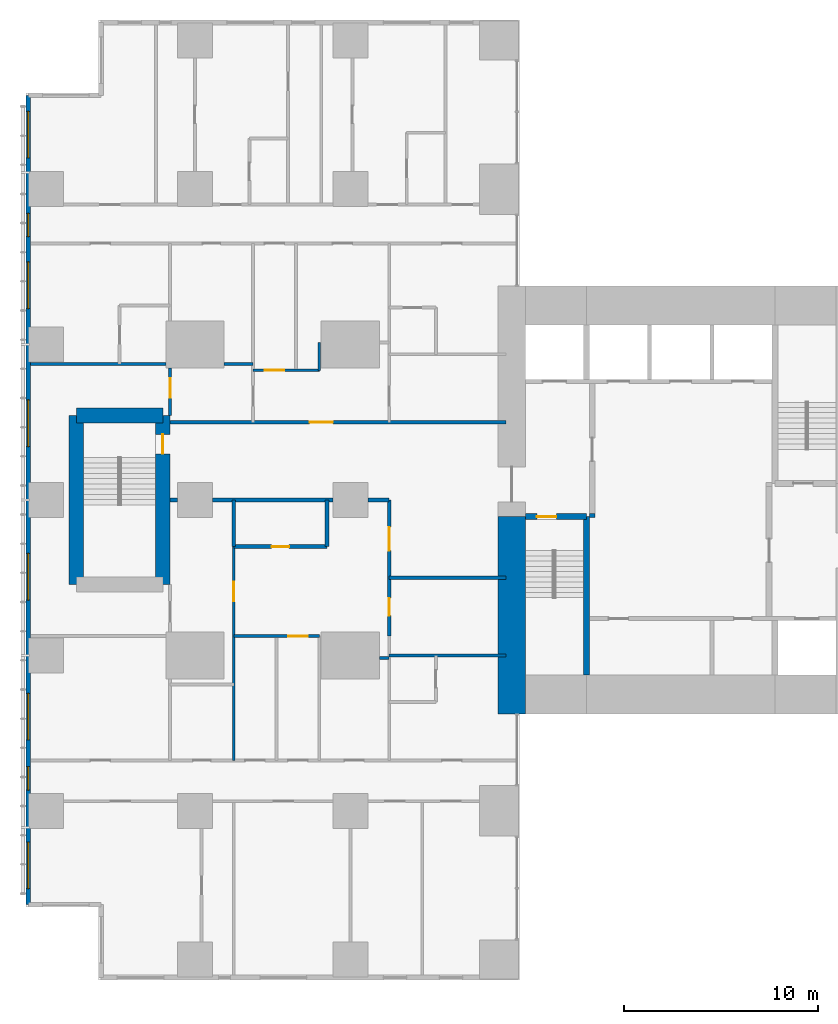
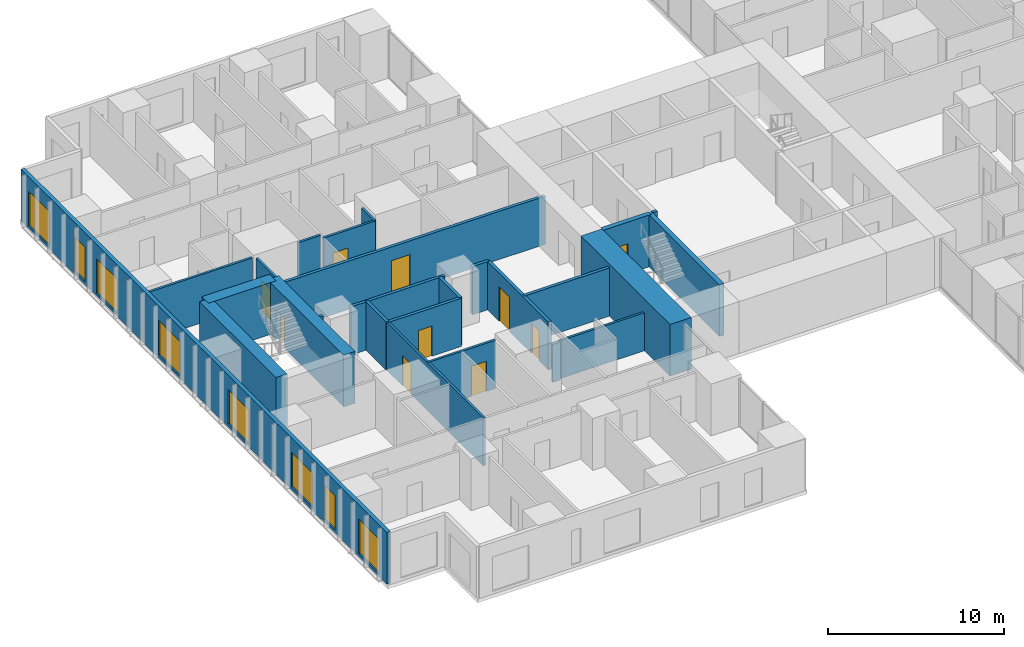
# One storey, part 13 of 20: 26 walls, 10 doors, 8 windows, 18 openings.
"""IFC4 building model written with IfcOpenShell, lengths in metres."""

from ifc_helpers import new_model, si_unit, direction, frame, frame_2d, origin, place, context, subcontext, project, spatial, rectangle, extrude, material, layer, layer_set, type_object, element, fill, save


model = new_model("IFC4")

# Units and contexts
model_context = context("Model", 3, precision=1e-05, world=origin(), true_north=direction((0.0, 1.0)))
body_context = subcontext(model_context, "Body", "Model", "MODEL_VIEW")
ifc_project = project(units=[si_unit("LENGTHUNIT", "METRE"), si_unit("AREAUNIT", "SQUARE_METRE"), si_unit("VOLUMEUNIT", "CUBIC_METRE"), si_unit("PLANEANGLEUNIT", "RADIAN"), si_unit("MASSUNIT", "GRAM", prefix="KILO")], contexts=[model_context])

# Site, building, storey
site_placement = place(None, origin())
site = spatial("IfcSite", under=ifc_project, at=site_placement, CompositionType="ELEMENT")
building_placement = place(site_placement, origin())
building = spatial("IfcBuilding", under=site, at=building_placement, Name="Cleftline Residences", CompositionType="ELEMENT")
storey_placement = place(building_placement, frame((0.0, 0.0, 203.800048828125)))
storey = spatial("IfcBuildingStorey", under=building, at=storey_placement, Name="L53", CompositionType="ELEMENT", Elevation=203.800048828125)

# Walls
ifc_material_1 = material(Name="Concrete B70", Category="concrete")
ifc_layer_1 = layer(ifc_material_1, 1.39990234375)
ifc_layer_set_1 = layer_set([ifc_layer_1], Name="CORE WALL 1400")
wall_type_1 = type_object("IfcWallType", Name="CORE WALL 1400", PredefinedType="SHEAR", material=ifc_layer_set_1)
wall_1_placement = place(storey_placement, frame((24.300048828125, 13.0, 0.0), z_axis=(0.0, 0.0, 1.0), x_axis=(0.0, 1.0, 0.0)))
element("IfcWall", 1, at=wall_1_placement, inside=storey, type_object=wall_type_1, Name="Core wall W0", PredefinedType="SHEAR", context=body_context, shape_type="SweptSolid", body=[
    extrude(rectangle(XDim=10.14990234375, YDim=1.39990234375, at=frame_2d((5.074951171875, 0.0))), origin(), (0.0, 0.0, 1.0), 3.599853515625),
])
ifc_material_2 = material(Name="Concrete B70", Category="concrete")
ifc_layer_2 = layer(ifc_material_2, 0.300048828125)
ifc_layer_set_2 = layer_set([ifc_layer_2], Name="CORE WALL 300")
wall_type_2 = type_object("IfcWallType", Name="CORE WALL 300", PredefinedType="SHEAR", material=ifc_layer_set_2)
wall_2_placement = place(storey_placement, frame((28.14990234375, 15.0, 0.0), z_axis=(0.0, 0.0, 1.0), x_axis=(0.0, 1.0, 0.0)))
element("IfcWall", 2, at=wall_2_placement, inside=storey, type_object=wall_type_2, Name="Core wall SA-E", PredefinedType="SHEAR", context=body_context, shape_type="SweptSolid", body=[
    extrude(rectangle(XDim=8.14990234375, YDim=0.300048828125, at=frame_2d((4.074951171875, 0.0))), origin(), (0.0, 0.0, 1.0), 3.599853515625),
])

# Wall, opening, door
wall_3_placement = place(storey_placement, frame((25.0, 23.14990234375, 0.0), z_axis=(0.0, 0.0, 1.0), x_axis=(1.0, 0.0, 0.0)))
wall_3 = element("IfcWall", 3, at=wall_3_placement, inside=storey, type_object=wall_type_2, Name="Core wall SA-N", PredefinedType="SHEAR", context=body_context, shape_type="SweptSolid", body=[
    extrude(rectangle(XDim=3.14990234375, YDim=0.300048828125, at=frame_2d((1.574951171875, 0.0))), origin(), (0.0, 0.0, 1.0), 3.599853515625),
])
opening_1_placement = place(wall_3_placement, frame((0.60009765625, 0.0, 0.0)))
opening_1 = element("IfcOpeningElement", 4, at=opening_1_placement, cuts=wall_3, Name="Opening D5", PredefinedType="OPENING", context=body_context, shape_type="SweptSolid", body=[
    extrude(rectangle(XDim=1.0, YDim=2.10009765625, at=frame_2d((0.5, 1.050048828125))), frame((0.0, 0.159912109375, 0.0), z_axis=(0.0, -1.0, 0.0), x_axis=(1.0, 0.0, 0.0)), (0.0, 0.0, 1.0), 0.320068359375),
])
ifc_material_3 = material(Name="Steel", Category="steel")
door_type_1 = type_object("IfcDoorType", Name="STAIR DOOR 1000X2100", OperationType="SINGLE_SWING_LEFT", PredefinedType="DOOR", material=ifc_material_3)
door_1_placement = place(opening_1_placement, origin())
door_1 = element("IfcDoor", 5, at=door_1_placement, inside=storey, type_object=door_type_1, Name="Stair A door", OperationType="SINGLE_SWING_RIGHT", OverallHeight=2.10009765625, OverallWidth=1.0, PredefinedType="DOOR", context=body_context, shape_type="SweptSolid", body=[
    extrude(rectangle(XDim=1.0, YDim=2.10009765625, at=frame_2d((0.5, 1.050048828125))), frame((0.0, 0.02490234375, 0.0), z_axis=(0.0, -1.0, 0.0), x_axis=(1.0, 0.0, 0.0)), (0.0, 0.0, 1.0), 0.050048828125),
])
fill(opening_1, door_1)

# Wall, openings, windows
ifc_material_4 = material(Name="Rendered reinforced concrete blockwork", Category="masonry")
ifc_layer_3 = layer(ifc_material_4, 0.25)
ifc_layer_set_3 = layer_set([ifc_layer_3], Name="EXTERNAL WALL 250")
wall_type_3 = type_object("IfcWallType", Name="EXTERNAL WALL 250", PredefinedType="SOLIDWALL", material=ifc_layer_set_3)
wall_4_placement = place(storey_placement, frame((-0.574951171875, 44.824951171875, 0.0), z_axis=(0.0, 0.0, 1.0), x_axis=(0.0, -1.0, 0.0)))
wall_4 = element("IfcWall", 6, at=wall_4_placement, inside=storey, type_object=wall_type_3, Name="External wall", PredefinedType="SOLIDWALL", context=body_context, shape_type="SweptSolid", body=[
    extrude(rectangle(XDim=41.64990234375, YDim=0.25, at=frame_2d((20.824951171875, 0.0))), origin(), (0.0, 0.0, 1.0), 3.599853515625),
])
opening_2_placement = place(wall_4_placement, frame((0.824951171875, 0.0, 0.199951171875)))
opening_2 = element("IfcOpeningElement", 7, at=opening_2_placement, cuts=wall_4, Name="Opening W9", PredefinedType="OPENING", context=body_context, shape_type="SweptSolid", body=[
    extrude(rectangle(XDim=2.39990234375, YDim=2.39990234375, at=frame_2d((1.199951171875, 1.199951171875))), frame((0.0, 0.135009765625, 0.0), z_axis=(0.0, -1.0, 0.0), x_axis=(1.0, 0.0, 0.0)), (0.0, 0.0, 1.0), 0.27001953125),
])
opening_3_placement = place(wall_4_placement, frame((6.074951171875, 0.0, 0.199951171875)))
opening_3 = element("IfcOpeningElement", 8, at=opening_3_placement, cuts=wall_4, Name="Opening W13", PredefinedType="OPENING", context=body_context, shape_type="SweptSolid", body=[
    extrude(rectangle(XDim=1.199951171875, YDim=2.39990234375, at=frame_2d((0.60009765625, 1.199951171875))), frame((0.0, 0.135009765625, 0.0), z_axis=(0.0, -1.0, 0.0), x_axis=(1.0, 0.0, 0.0)), (0.0, 0.0, 1.0), 0.27001953125),
])
opening_4_placement = place(wall_4_placement, frame((8.574951171875, 0.0, 0.199951171875)))
opening_4 = element("IfcOpeningElement", 9, at=opening_4_placement, cuts=wall_4, Name="Opening W9", PredefinedType="OPENING", context=body_context, shape_type="SweptSolid", body=[
    extrude(rectangle(XDim=2.39990234375, YDim=2.39990234375, at=frame_2d((1.199951171875, 1.199951171875))), frame((0.0, 0.135009765625, 0.0), z_axis=(0.0, -1.0, 0.0), x_axis=(1.0, 0.0, 0.0)), (0.0, 0.0, 1.0), 0.27001953125),
])
opening_5_placement = place(wall_4_placement, frame((15.675048828125, 0.0, 0.199951171875)))
opening_5 = element("IfcOpeningElement", 10, at=opening_5_placement, cuts=wall_4, Name="Opening W9", PredefinedType="OPENING", context=body_context, shape_type="SweptSolid", body=[
    extrude(rectangle(XDim=2.39990234375, YDim=2.39990234375, at=frame_2d((1.199951171875, 1.199951171875))), frame((0.0, 0.135009765625, 0.0), z_axis=(0.0, -1.0, 0.0), x_axis=(1.0, 0.0, 0.0)), (0.0, 0.0, 1.0), 0.27001953125),
])
opening_6_placement = place(wall_4_placement, frame((23.574951171875, 0.0, 0.199951171875)))
opening_6 = element("IfcOpeningElement", 11, at=opening_6_placement, cuts=wall_4, Name="Opening W9", PredefinedType="OPENING", context=body_context, shape_type="SweptSolid", body=[
    extrude(rectangle(XDim=2.39990234375, YDim=2.39990234375, at=frame_2d((1.199951171875, 1.199951171875))), frame((0.0, 0.135009765625, 0.0), z_axis=(0.0, -1.0, 0.0), x_axis=(1.0, 0.0, 0.0)), (0.0, 0.0, 1.0), 0.27001953125),
])
opening_7_placement = place(wall_4_placement, frame((30.77490234375, 0.0, 0.199951171875)))
opening_7 = element("IfcOpeningElement", 12, at=opening_7_placement, cuts=wall_4, Name="Opening W9", PredefinedType="OPENING", context=body_context, shape_type="SweptSolid", body=[
    extrude(rectangle(XDim=2.39990234375, YDim=2.39990234375, at=frame_2d((1.199951171875, 1.199951171875))), frame((0.0, 0.135009765625, 0.0), z_axis=(0.0, -1.0, 0.0), x_axis=(1.0, 0.0, 0.0)), (0.0, 0.0, 1.0), 0.27001953125),
])
opening_8_placement = place(wall_4_placement, frame((34.550048828125, 0.0, 0.199951171875)))
opening_8 = element("IfcOpeningElement", 13, at=opening_8_placement, cuts=wall_4, Name="Opening W13", PredefinedType="OPENING", context=body_context, shape_type="SweptSolid", body=[
    extrude(rectangle(XDim=1.199951171875, YDim=2.39990234375, at=frame_2d((0.60009765625, 1.199951171875))), frame((0.0, 0.135009765625, 0.0), z_axis=(0.0, -1.0, 0.0), x_axis=(1.0, 0.0, 0.0)), (0.0, 0.0, 1.0), 0.27001953125),
])
opening_9_placement = place(wall_4_placement, frame((38.425048828125, 0.0, 0.199951171875)))
opening_9 = element("IfcOpeningElement", 14, at=opening_9_placement, cuts=wall_4, Name="Opening W9", PredefinedType="OPENING", context=body_context, shape_type="SweptSolid", body=[
    extrude(rectangle(XDim=2.39990234375, YDim=2.39990234375, at=frame_2d((1.199951171875, 1.199951171875))), frame((0.0, 0.135009765625, 0.0), z_axis=(0.0, -1.0, 0.0), x_axis=(1.0, 0.0, 0.0)), (0.0, 0.0, 1.0), 0.27001953125),
])
ifc_material_5 = material(Name="Aluminium frame, clear double glazing", Category="aluminium")
window_type_1 = type_object("IfcWindowType", Name="WINDOW 1200X2400", PartitioningType="DOUBLE_PANEL_VERTICAL", PredefinedType="WINDOW", material=ifc_material_5)
window_1_placement = place(opening_3_placement, origin())
window_1 = element("IfcWindow", 15, at=window_1_placement, inside=storey, type_object=window_type_1, Name="Window", OverallHeight=2.39990234375, OverallWidth=1.199951171875, PartitioningType="SINGLE_PANEL", PredefinedType="WINDOW", context=body_context, shape_type="SweptSolid", body=[
    extrude(rectangle(XDim=1.199951171875, YDim=2.39990234375, at=frame_2d((0.60009765625, 1.199951171875))), frame((0.0, 0.030029296875, 0.0), z_axis=(0.0, -1.0, 0.0), x_axis=(1.0, 0.0, 0.0)), (0.0, 0.0, 1.0), 0.06005859375),
])
fill(opening_3, window_1)
window_2_placement = place(opening_8_placement, origin())
window_2 = element("IfcWindow", 16, at=window_2_placement, inside=storey, type_object=window_type_1, Name="Window", OverallHeight=2.39990234375, OverallWidth=1.199951171875, PartitioningType="SINGLE_PANEL", PredefinedType="WINDOW", context=body_context, shape_type="SweptSolid", body=[
    extrude(rectangle(XDim=1.199951171875, YDim=2.39990234375, at=frame_2d((0.60009765625, 1.199951171875))), frame((0.0, 0.030029296875, 0.0), z_axis=(0.0, -1.0, 0.0), x_axis=(1.0, 0.0, 0.0)), (0.0, 0.0, 1.0), 0.06005859375),
])
fill(opening_8, window_2)
ifc_material_6 = material(Name="Aluminium frame, clear double glazing", Category="aluminium")
window_type_2 = type_object("IfcWindowType", Name="WINDOW 2400X2400", PartitioningType="DOUBLE_PANEL_VERTICAL", PredefinedType="WINDOW", material=ifc_material_6)
window_3_placement = place(opening_2_placement, origin())
window_3 = element("IfcWindow", 17, at=window_3_placement, inside=storey, type_object=window_type_2, Name="Window", OverallHeight=2.39990234375, OverallWidth=2.39990234375, PartitioningType="SINGLE_PANEL", PredefinedType="WINDOW", context=body_context, shape_type="SweptSolid", body=[
    extrude(rectangle(XDim=2.39990234375, YDim=2.39990234375, at=frame_2d((1.199951171875, 1.199951171875))), frame((0.0, 0.030029296875, 0.0), z_axis=(0.0, -1.0, 0.0), x_axis=(1.0, 0.0, 0.0)), (0.0, 0.0, 1.0), 0.06005859375),
])
fill(opening_2, window_3)
window_4_placement = place(opening_4_placement, origin())
window_4 = element("IfcWindow", 18, at=window_4_placement, inside=storey, type_object=window_type_2, Name="Window", OverallHeight=2.39990234375, OverallWidth=2.39990234375, PartitioningType="SINGLE_PANEL", PredefinedType="WINDOW", context=body_context, shape_type="SweptSolid", body=[
    extrude(rectangle(XDim=2.39990234375, YDim=2.39990234375, at=frame_2d((1.199951171875, 1.199951171875))), frame((0.0, 0.030029296875, 0.0), z_axis=(0.0, -1.0, 0.0), x_axis=(1.0, 0.0, 0.0)), (0.0, 0.0, 1.0), 0.06005859375),
])
fill(opening_4, window_4)
window_5_placement = place(opening_5_placement, origin())
window_5 = element("IfcWindow", 19, at=window_5_placement, inside=storey, type_object=window_type_2, Name="Window", OverallHeight=2.39990234375, OverallWidth=2.39990234375, PartitioningType="SINGLE_PANEL", PredefinedType="WINDOW", context=body_context, shape_type="SweptSolid", body=[
    extrude(rectangle(XDim=2.39990234375, YDim=2.39990234375, at=frame_2d((1.199951171875, 1.199951171875))), frame((0.0, 0.030029296875, 0.0), z_axis=(0.0, -1.0, 0.0), x_axis=(1.0, 0.0, 0.0)), (0.0, 0.0, 1.0), 0.06005859375),
])
fill(opening_5, window_5)
window_6_placement = place(opening_6_placement, origin())
window_6 = element("IfcWindow", 20, at=window_6_placement, inside=storey, type_object=window_type_2, Name="Window", OverallHeight=2.39990234375, OverallWidth=2.39990234375, PartitioningType="SINGLE_PANEL", PredefinedType="WINDOW", context=body_context, shape_type="SweptSolid", body=[
    extrude(rectangle(XDim=2.39990234375, YDim=2.39990234375, at=frame_2d((1.199951171875, 1.199951171875))), frame((0.0, 0.030029296875, 0.0), z_axis=(0.0, -1.0, 0.0), x_axis=(1.0, 0.0, 0.0)), (0.0, 0.0, 1.0), 0.06005859375),
])
fill(opening_6, window_6)
window_7_placement = place(opening_7_placement, origin())
window_7 = element("IfcWindow", 21, at=window_7_placement, inside=storey, type_object=window_type_2, Name="Window", OverallHeight=2.39990234375, OverallWidth=2.39990234375, PartitioningType="SINGLE_PANEL", PredefinedType="WINDOW", context=body_context, shape_type="SweptSolid", body=[
    extrude(rectangle(XDim=2.39990234375, YDim=2.39990234375, at=frame_2d((1.199951171875, 1.199951171875))), frame((0.0, 0.030029296875, 0.0), z_axis=(0.0, -1.0, 0.0), x_axis=(1.0, 0.0, 0.0)), (0.0, 0.0, 1.0), 0.06005859375),
])
fill(opening_7, window_7)
window_8_placement = place(opening_9_placement, origin())
window_8 = element("IfcWindow", 22, at=window_8_placement, inside=storey, type_object=window_type_2, Name="Window", OverallHeight=2.39990234375, OverallWidth=2.39990234375, PartitioningType="SINGLE_PANEL", PredefinedType="WINDOW", context=body_context, shape_type="SweptSolid", body=[
    extrude(rectangle(XDim=2.39990234375, YDim=2.39990234375, at=frame_2d((1.199951171875, 1.199951171875))), frame((0.0, 0.030029296875, 0.0), z_axis=(0.0, -1.0, 0.0), x_axis=(1.0, 0.0, 0.0)), (0.0, 0.0, 1.0), 0.06005859375),
])
fill(opening_9, window_8)

# Wall
ifc_material_7 = material(Name="Concrete blockwork, fire rated", Category="masonry")
ifc_layer_4 = layer(ifc_material_7, 0.199951171875)
ifc_layer_set_4 = layer_set([ifc_layer_4], Name="FIRE WALL 200")
wall_type_4 = type_object("IfcWallType", Name="FIRE WALL 200", PredefinedType="PARTITIONING", material=ifc_layer_set_4)
wall_5_placement = place(storey_placement, frame((18.0, 20.0, 0.0), z_axis=(0.0, 0.0, 1.0), x_axis=(1.0, 0.0, 0.0)))
element("IfcWall", 23, at=wall_5_placement, inside=storey, type_object=wall_type_4, Name="Fire separating wall", PredefinedType="PARTITIONING", context=body_context, shape_type="SweptSolid", body=[
    extrude(rectangle(XDim=6.0, YDim=0.199951171875, at=frame_2d((3.0, 0.0))), origin(), (0.0, 0.0, 1.0), 3.349853515625),
])

# Wall, opening, door
wall_6_placement = place(storey_placement, frame((10.0, 21.60009765625, 0.0), z_axis=(0.0, 0.0, 1.0), x_axis=(1.0, 0.0, 0.0)))
wall_6 = element("IfcWall", 24, at=wall_6_placement, inside=storey, type_object=wall_type_4, Name="Fire separating wall", PredefinedType="PARTITIONING", context=body_context, shape_type="SweptSolid", body=[
    extrude(rectangle(XDim=4.800048828125, YDim=0.199951171875, at=frame_2d((2.39990234375, 0.0))), origin(), (0.0, 0.0, 1.0), 3.349853515625),
])
opening_10_placement = place(wall_6_placement, frame((1.949951171875, 0.0, 0.0)))
opening_10 = element("IfcOpeningElement", 25, at=opening_10_placement, cuts=wall_6, Name="Opening D1F30", PredefinedType="OPENING", context=body_context, shape_type="SweptSolid", body=[
    extrude(rectangle(XDim=0.89990234375, YDim=2.10009765625, at=frame_2d((0.449951171875, 1.050048828125))), frame((0.0, 0.10986328125, 0.0), z_axis=(0.0, -1.0, 0.0), x_axis=(1.0, 0.0, 0.0)), (0.0, 0.0, 1.0), 0.219970703125),
])
ifc_material_8 = material(Name="Timber veneer on solid core", Category="wood")
door_type_2 = type_object("IfcDoorType", Name="DOOR 900X2100 EI 30", OperationType="SINGLE_SWING_LEFT", PredefinedType="DOOR", material=ifc_material_8)
door_2_placement = place(opening_10_placement, origin())
door_2 = element("IfcDoor", 26, at=door_2_placement, inside=storey, type_object=door_type_2, Name="Door to cloakroom wc", OperationType="SINGLE_SWING_LEFT", OverallHeight=2.10009765625, OverallWidth=0.89990234375, PredefinedType="DOOR", context=body_context, shape_type="SweptSolid", body=[
    extrude(rectangle(XDim=0.89990234375, YDim=2.10009765625, at=frame_2d((0.449951171875, 1.050048828125))), frame((0.0, 0.02490234375, 0.0), z_axis=(0.0, -1.0, 0.0), x_axis=(1.0, 0.0, 0.0)), (0.0, 0.0, 1.0), 0.050048828125),
])
fill(opening_10, door_2)

# Walls
wall_7_placement = place(storey_placement, frame((6.72509765625, 24.0, 0.0), z_axis=(0.0, 0.0, 1.0), x_axis=(1.0, 0.0, 0.0)))
element("IfcWall", 27, at=wall_7_placement, inside=storey, type_object=wall_type_4, Name="Fire separating wall", PredefinedType="PARTITIONING", context=body_context, shape_type="SweptSolid", body=[
    extrude(rectangle(XDim=0.375, YDim=0.199951171875, at=frame_2d((0.1875, 0.0))), origin(), (0.0, 0.0, 1.0), 3.349853515625),
])
wall_8_placement = place(storey_placement, frame((8.89990234375, 24.0, 0.0), z_axis=(0.0, 0.0, 1.0), x_axis=(1.0, 0.0, 0.0)))
element("IfcWall", 28, at=wall_8_placement, inside=storey, type_object=wall_type_4, Name="Fire separating wall", PredefinedType="PARTITIONING", context=body_context, shape_type="SweptSolid", body=[
    extrude(rectangle(XDim=6.2001953125, YDim=0.199951171875, at=frame_2d((3.10009765625, 0.0))), origin(), (0.0, 0.0, 1.0), 3.349853515625),
])
wall_9_placement = place(storey_placement, frame((16.89990234375, 24.0, 0.0), z_axis=(0.0, 0.0, 1.0), x_axis=(1.0, 0.0, 0.0)))
element("IfcWall", 29, at=wall_9_placement, inside=storey, type_object=wall_type_4, Name="Fire separating wall", PredefinedType="PARTITIONING", context=body_context, shape_type="SweptSolid", body=[
    extrude(rectangle(XDim=1.10009765625, YDim=0.199951171875, at=frame_2d((0.550048828125, 0.0))), origin(), (0.0, 0.0, 1.0), 3.349853515625),
])

# Wall, opening, door
wall_10_placement = place(storey_placement, frame((6.72509765625, 28.0, 0.0), z_axis=(0.0, 0.0, 1.0), x_axis=(1.0, 0.0, 0.0)))
wall_10 = element("IfcWall", 30, at=wall_10_placement, inside=storey, type_object=wall_type_4, Name="Fire separating wall", PredefinedType="PARTITIONING", context=body_context, shape_type="SweptSolid", body=[
    extrude(rectangle(XDim=17.27490234375, YDim=0.199951171875, at=frame_2d((8.637451171875, 0.0))), origin(), (0.0, 0.0, 1.0), 3.349853515625),
])
opening_11_placement = place(wall_10_placement, frame((7.175048828125, 0.0, 0.0)))
opening_11 = element("IfcOpeningElement", 31, at=opening_11_placement, cuts=wall_10, Name="Opening D4", PredefinedType="OPENING", context=body_context, shape_type="SweptSolid", body=[
    extrude(rectangle(XDim=1.199951171875, YDim=2.39990234375, at=frame_2d((0.60009765625, 1.199951171875))), frame((0.0, 0.10986328125, 0.0), z_axis=(0.0, -1.0, 0.0), x_axis=(1.0, 0.0, 0.0)), (0.0, 0.0, 1.0), 0.219970703125),
])
ifc_material_9 = material(Name="Timber veneer on solid core", Category="wood")
door_type_3 = type_object("IfcDoorType", Name="APARTMENT ENTRANCE DOOR 1200X2400", OperationType="SINGLE_SWING_RIGHT", PredefinedType="DOOR", material=ifc_material_9)
door_3_placement = place(opening_11_placement, origin())
door_3 = element("IfcDoor", 32, at=door_3_placement, inside=storey, type_object=door_type_3, Name="Door to residence entrance (gallery)", OperationType="SINGLE_SWING_RIGHT", OverallHeight=2.39990234375, OverallWidth=1.199951171875, PredefinedType="DOOR", context=body_context, shape_type="SweptSolid", body=[
    extrude(rectangle(XDim=1.199951171875, YDim=2.39990234375, at=frame_2d((0.60009765625, 1.199951171875))), frame((0.0, 0.02490234375, 0.0), z_axis=(0.0, -1.0, 0.0), x_axis=(1.0, 0.0, 0.0)), (0.0, 0.0, 1.0), 0.050048828125),
])
fill(opening_11, door_3)

# Walls
for number, where, z_axis, x_axis, name in (
    (33, (10.0, 21.60009765625, 0.0), (0.0, 0.0, 1.0), (0.0, 1.0, 0.0), "Fire separating wall"),
    (34, (14.800048828125, 21.60009765625, 0.0), (0.0, 0.0, 1.0), (0.0, 1.0, 0.0), "Fire separating wall"),
):
    element("IfcWall", number, at=place(storey_placement, frame(where, z_axis=z_axis, x_axis=x_axis)), inside=storey, type_object=wall_type_4, Name=name, PredefinedType="PARTITIONING", context=body_context, shape_type="SweptSolid", body=[
        extrude(rectangle(XDim=2.39990234375, YDim=0.199951171875, at=frame_2d((1.199951171875, 0.0))), origin(), (0.0, 0.0, 1.0), 3.349853515625),
    ])

# Wall, openings, doors
wall_11_placement = place(storey_placement, frame((18.0, 17.0, 0.0), z_axis=(0.0, 0.0, 1.0), x_axis=(0.0, 1.0, 0.0)))
wall_11 = element("IfcWall", 35, at=wall_11_placement, inside=storey, type_object=wall_type_4, Name="Fire separating wall", PredefinedType="PARTITIONING", context=body_context, shape_type="SweptSolid", body=[
    extrude(rectangle(XDim=7.0, YDim=0.199951171875, at=frame_2d((3.5, 0.0))), origin(), (0.0, 0.0, 1.0), 3.349853515625),
])
opening_12_placement = place(wall_11_placement, frame((4.39990234375, 0.0, 0.0)))
opening_12 = element("IfcOpeningElement", 36, at=opening_12_placement, cuts=wall_11, Name="Opening D4", PredefinedType="OPENING", context=body_context, shape_type="SweptSolid", body=[
    extrude(rectangle(XDim=1.199951171875, YDim=2.39990234375, at=frame_2d((0.60009765625, 1.199951171875))), frame((0.0, 0.10986328125, 0.0), z_axis=(0.0, -1.0, 0.0), x_axis=(1.0, 0.0, 0.0)), (0.0, 0.0, 1.0), 0.219970703125),
])
opening_13_placement = place(wall_11_placement, frame((1.050048828125, 0.0, 0.0)))
opening_13 = element("IfcOpeningElement", 37, at=opening_13_placement, cuts=wall_11, Name="Opening D1F30", PredefinedType="OPENING", context=body_context, shape_type="SweptSolid", body=[
    extrude(rectangle(XDim=0.89990234375, YDim=2.10009765625, at=frame_2d((0.449951171875, 1.050048828125))), frame((0.0, 0.10986328125, 0.0), z_axis=(0.0, -1.0, 0.0), x_axis=(1.0, 0.0, 0.0)), (0.0, 0.0, 1.0), 0.219970703125),
])
door_4_placement = place(opening_12_placement, origin())
door_4 = element("IfcDoor", 38, at=door_4_placement, inside=storey, type_object=door_type_3, Name="Door to residence entrance foyer", OperationType="SINGLE_SWING_LEFT", OverallHeight=2.39990234375, OverallWidth=1.199951171875, PredefinedType="DOOR", context=body_context, shape_type="SweptSolid", body=[
    extrude(rectangle(XDim=1.199951171875, YDim=2.39990234375, at=frame_2d((0.60009765625, 1.199951171875))), frame((0.0, 0.02490234375, 0.0), z_axis=(0.0, -1.0, 0.0), x_axis=(1.0, 0.0, 0.0)), (0.0, 0.0, 1.0), 0.050048828125),
])
fill(opening_12, door_4)
door_5_placement = place(opening_13_placement, origin())
door_5 = element("IfcDoor", 39, at=door_5_placement, inside=storey, type_object=door_type_2, Name="Door to laundry", OperationType="SINGLE_SWING_RIGHT", OverallHeight=2.10009765625, OverallWidth=0.89990234375, PredefinedType="DOOR", context=body_context, shape_type="SweptSolid", body=[
    extrude(rectangle(XDim=0.89990234375, YDim=2.10009765625, at=frame_2d((0.449951171875, 1.050048828125))), frame((0.0, 0.02490234375, 0.0), z_axis=(0.0, -1.0, 0.0), x_axis=(1.0, 0.0, 0.0)), (0.0, 0.0, 1.0), 0.050048828125),
])
fill(opening_13, door_5)

# Walls
wall_12_placement = place(storey_placement, frame((28.300048828125, 23.199951171875, 0.0), z_axis=(0.0, 0.0, 1.0), x_axis=(1.0, 0.0, 0.0)))
element("IfcWall", 40, at=wall_12_placement, inside=storey, type_object=wall_type_4, Name="Fire separating wall", PredefinedType="PARTITIONING", context=body_context, shape_type="SweptSolid", body=[
    extrude(rectangle(XDim=0.300048828125, YDim=0.199951171875, at=frame_2d((0.14990234375, 0.0))), origin(), (0.0, 0.0, 1.0), 3.599853515625),
])
ifc_material_10 = material(Name="Gypsum board on steel studs", Category="steel")
ifc_layer_5 = layer(ifc_material_10, 0.14990234375)
ifc_layer_set_5 = layer_set([ifc_layer_5], Name="PARTITION 150")
wall_type_5 = type_object("IfcWallType", Name="PARTITION 150", PredefinedType="PARTITIONING", material=ifc_layer_set_5)
wall_13_placement = place(storey_placement, frame((17.5, 15.875, 0.0), z_axis=(0.0, 0.0, 1.0), x_axis=(1.0, 0.0, 0.0)))
element("IfcWall", 41, at=wall_13_placement, inside=storey, type_object=wall_type_5, Name="Partition", PredefinedType="PARTITIONING", context=body_context, shape_type="SweptSolid", body=[
    extrude(rectangle(XDim=0.5, YDim=0.14990234375, at=frame_2d((0.25, 0.0))), origin(), (0.0, 0.0, 1.0), 2.634033203125),
])
wall_14_placement = place(storey_placement, frame((18.0, 16.0, 0.0), z_axis=(0.0, 0.0, 1.0), x_axis=(1.0, 0.0, 0.0)))
element("IfcWall", 42, at=wall_14_placement, inside=storey, type_object=wall_type_5, Name="Partition", PredefinedType="PARTITIONING", context=body_context, shape_type="SweptSolid", body=[
    extrude(rectangle(XDim=6.0, YDim=0.14990234375, at=frame_2d((3.0, 0.0))), origin(), (0.0, 0.0, 1.0), 2.634033203125),
])

# Wall, opening, door
wall_15_placement = place(storey_placement, frame((10.0, 17.0, 0.0), z_axis=(0.0, 0.0, 1.0), x_axis=(1.0, 0.0, 0.0)))
wall_15 = element("IfcWall", 43, at=wall_15_placement, inside=storey, type_object=wall_type_5, Name="Partition", PredefinedType="PARTITIONING", context=body_context, shape_type="SweptSolid", body=[
    extrude(rectangle(XDim=4.39990234375, YDim=0.14990234375, at=frame_2d((2.199951171875, 0.0))), origin(), (0.0, 0.0, 1.0), 3.349853515625),
])
opening_14_placement = place(wall_15_placement, frame((2.800048828125, 0.0, 0.0)))
opening_14 = element("IfcOpeningElement", 44, at=opening_14_placement, cuts=wall_15, Name="Opening D2", PredefinedType="OPENING", context=body_context, shape_type="SweptSolid", body=[
    extrude(rectangle(XDim=1.0, YDim=2.10009765625, at=frame_2d((0.5, 1.050048828125))), frame((0.0, 0.0849609375, 0.0), z_axis=(0.0, -1.0, 0.0), x_axis=(1.0, 0.0, 0.0)), (0.0, 0.0, 1.0), 0.169921875),
])
ifc_material_11 = material(Name="Timber veneer on solid core", Category="wood")
door_type_4 = type_object("IfcDoorType", Name="DOOR 1000X2100", OperationType="SINGLE_SWING_LEFT", PredefinedType="DOOR", material=ifc_material_11)
door_6_placement = place(opening_14_placement, origin())
door_6 = element("IfcDoor", 45, at=door_6_placement, inside=storey, type_object=door_type_4, Name="Door to residence passage", OperationType="SINGLE_SWING_LEFT", OverallHeight=2.10009765625, OverallWidth=1.0, PredefinedType="DOOR", context=body_context, shape_type="SweptSolid", body=[
    extrude(rectangle(XDim=1.0, YDim=2.10009765625, at=frame_2d((0.5, 1.050048828125))), frame((0.0, 0.02490234375, 0.0), z_axis=(0.0, -1.0, 0.0), x_axis=(1.0, 0.0, 0.0)), (0.0, 0.0, 1.0), 0.050048828125),
])
fill(opening_14, door_6)

wall_16_placement = place(storey_placement, frame((11.0, 30.675048828125, 0.0), z_axis=(0.0, 0.0, 1.0), x_axis=(1.0, 0.0, 0.0)))
wall_16 = element("IfcWall", 46, at=wall_16_placement, inside=storey, type_object=wall_type_5, Name="Partition", PredefinedType="PARTITIONING", context=body_context, shape_type="SweptSolid", body=[
    extrude(rectangle(XDim=3.39990234375, YDim=0.14990234375, at=frame_2d((1.699951171875, 0.0))), origin(), (0.0, 0.0, 1.0), 3.349853515625),
])
opening_15_placement = place(wall_16_placement, frame((0.60009765625, 0.0, 0.0)))
opening_15 = element("IfcOpeningElement", 47, at=opening_15_placement, cuts=wall_16, Name="Opening D2", PredefinedType="OPENING", context=body_context, shape_type="SweptSolid", body=[
    extrude(rectangle(XDim=1.0, YDim=2.10009765625, at=frame_2d((0.5, 1.050048828125))), frame((0.0, 0.0849609375, 0.0), z_axis=(0.0, -1.0, 0.0), x_axis=(1.0, 0.0, 0.0)), (0.0, 0.0, 1.0), 0.169921875),
])
door_7_placement = place(opening_15_placement, origin())
door_7 = element("IfcDoor", 48, at=door_7_placement, inside=storey, type_object=door_type_4, Name="Door to residence passage", OperationType="SINGLE_SWING_RIGHT", OverallHeight=2.10009765625, OverallWidth=1.0, PredefinedType="DOOR", context=body_context, shape_type="SweptSolid", body=[
    extrude(rectangle(XDim=1.0, YDim=2.10009765625, at=frame_2d((0.5, 1.050048828125))), frame((0.0, 0.02490234375, 0.0), z_axis=(0.0, -1.0, 0.0), x_axis=(1.0, 0.0, 0.0)), (0.0, 0.0, 1.0), 0.050048828125),
])
fill(opening_15, door_7)

# Walls
wall_17_placement = place(storey_placement, frame((-0.449951171875, 31.0, 0.0), z_axis=(0.0, 0.0, 1.0), x_axis=(1.0, 0.0, 0.0)))
element("IfcWall", 49, at=wall_17_placement, inside=storey, type_object=wall_type_5, Name="Partition", PredefinedType="PARTITIONING", context=body_context, shape_type="SweptSolid", body=[
    extrude(rectangle(XDim=6.949951171875, YDim=0.14990234375, at=frame_2d((3.47509765625, 0.0))), origin(), (0.0, 0.0, 1.0), 3.349853515625),
])
wall_18_placement = place(storey_placement, frame((9.5, 31.0, 0.0), z_axis=(0.0, 0.0, 1.0), x_axis=(1.0, 0.0, 0.0)))
element("IfcWall", 50, at=wall_18_placement, inside=storey, type_object=wall_type_5, Name="Partition", PredefinedType="PARTITIONING", context=body_context, shape_type="SweptSolid", body=[
    extrude(rectangle(XDim=1.5, YDim=0.14990234375, at=frame_2d((0.75, 0.0))), origin(), (0.0, 0.0, 1.0), 3.349853515625),
])

# Wall, opening, door
wall_19_placement = place(storey_placement, frame((6.72509765625, 28.35009765625, 0.0), z_axis=(0.0, 0.0, 1.0), x_axis=(0.0, 1.0, 0.0)))
wall_19 = element("IfcWall", 51, at=wall_19_placement, inside=storey, type_object=wall_type_5, Name="Partition", PredefinedType="PARTITIONING", context=body_context, shape_type="SweptSolid", body=[
    extrude(rectangle(XDim=2.449951171875, YDim=0.14990234375, at=frame_2d((1.22509765625, 0.0))), origin(), (0.0, 0.0, 1.0), 3.349853515625),
])
opening_16_placement = place(wall_19_placement, frame((0.91259765625, 0.0, 0.0)))
opening_16 = element("IfcOpeningElement", 52, at=opening_16_placement, cuts=wall_19, Name="Opening D2", PredefinedType="OPENING", context=body_context, shape_type="SweptSolid", body=[
    extrude(rectangle(XDim=1.0, YDim=2.10009765625, at=frame_2d((0.5, 1.050048828125))), frame((0.0, 0.0849609375, 0.0), z_axis=(0.0, -1.0, 0.0), x_axis=(1.0, 0.0, 0.0)), (0.0, 0.0, 1.0), 0.169921875),
])
door_8_placement = place(opening_16_placement, origin())
door_8 = element("IfcDoor", 53, at=door_8_placement, inside=storey, type_object=door_type_4, Name="Door to altar room", OperationType="SINGLE_SWING_LEFT", OverallHeight=2.10009765625, OverallWidth=1.0, PredefinedType="DOOR", context=body_context, shape_type="SweptSolid", body=[
    extrude(rectangle(XDim=1.0, YDim=2.10009765625, at=frame_2d((0.5, 1.050048828125))), frame((0.0, 0.02490234375, 0.0), z_axis=(0.0, -1.0, 0.0), x_axis=(1.0, 0.0, 0.0)), (0.0, 0.0, 1.0), 0.050048828125),
])
fill(opening_16, door_8)

wall_20_placement = place(storey_placement, frame((10.0, 10.60009765625, 0.0), z_axis=(0.0, 0.0, 1.0), x_axis=(0.0, 1.0, 0.0)))
wall_20 = element("IfcWall", 54, at=wall_20_placement, inside=storey, type_object=wall_type_5, Name="Partition", PredefinedType="PARTITIONING", context=body_context, shape_type="SweptSolid", body=[
    extrude(rectangle(XDim=11.0, YDim=0.14990234375, at=frame_2d((5.5, 0.0))), origin(), (0.0, 0.0, 1.0), 3.349853515625),
])
opening_17_placement = place(wall_20_placement, frame((8.199951171875, 0.0, 0.0)))
opening_17 = element("IfcOpeningElement", 55, at=opening_17_placement, cuts=wall_20, Name="Opening D2F30", PredefinedType="OPENING", context=body_context, shape_type="SweptSolid", body=[
    extrude(rectangle(XDim=1.0, YDim=2.10009765625, at=frame_2d((0.5, 1.050048828125))), frame((0.0, 0.0849609375, 0.0), z_axis=(0.0, -1.0, 0.0), x_axis=(1.0, 0.0, 0.0)), (0.0, 0.0, 1.0), 0.169921875),
])
ifc_material_12 = material(Name="Timber veneer on solid core", Category="wood")
door_type_5 = type_object("IfcDoorType", Name="DOOR 1000X2100 EI 30", OperationType="SINGLE_SWING_LEFT", PredefinedType="DOOR", material=ifc_material_12)
door_9_placement = place(opening_17_placement, origin())
door_9 = element("IfcDoor", 56, at=door_9_placement, inside=storey, type_object=door_type_5, Name="Door to residence lobby", OperationType="SINGLE_SWING_LEFT", OverallHeight=2.10009765625, OverallWidth=1.0, PredefinedType="DOOR", context=body_context, shape_type="SweptSolid", body=[
    extrude(rectangle(XDim=1.0, YDim=2.10009765625, at=frame_2d((0.5, 1.050048828125))), frame((0.0, 0.02490234375, 0.0), z_axis=(0.0, -1.0, 0.0), x_axis=(1.0, 0.0, 0.0)), (0.0, 0.0, 1.0), 0.050048828125),
])
fill(opening_17, door_9)

# Wall
wall_21_placement = place(storey_placement, frame((14.39990234375, 30.675048828125, 0.0), z_axis=(0.0, 0.0, 1.0), x_axis=(0.0, 1.0, 0.0)))
element("IfcWall", 57, at=wall_21_placement, inside=storey, type_object=wall_type_5, Name="Partition", PredefinedType="PARTITIONING", context=body_context, shape_type="SweptSolid", body=[
    extrude(rectangle(XDim=1.425048828125, YDim=0.14990234375, at=frame_2d((0.71240234375, 0.0))), origin(), (0.0, 0.0, 1.0), 3.349853515625),
])

# Wall, opening, door
ifc_material_13 = material(Name="Concrete B70", Category="concrete")
ifc_layer_6 = layer(ifc_material_13, 0.75)
ifc_layer_set_6 = layer_set([ifc_layer_6], Name="SHEAR WALL 750")
wall_type_6 = type_object("IfcWallType", Name="SHEAR WALL 750", PredefinedType="SHEAR", material=ifc_layer_set_6)
wall_22_placement = place(storey_placement, frame((6.35009765625, 19.64990234375, 0.0), z_axis=(0.0, 0.0, 1.0), x_axis=(0.0, 1.0, 0.0)))
wall_22 = element("IfcWall", 58, at=wall_22_placement, inside=storey, type_object=wall_type_6, Name="Wing shear wall", PredefinedType="SHEAR", context=body_context, shape_type="SweptSolid", body=[
    extrude(rectangle(XDim=8.7001953125, YDim=0.75, at=frame_2d((4.35009765625, 0.0))), origin(), (0.0, 0.0, 1.0), 3.599853515625),
])
opening_18_placement = place(wall_22_placement, frame((6.72509765625, 0.0, 0.0)))
opening_18 = element("IfcOpeningElement", 59, at=opening_18_placement, cuts=wall_22, Name="Opening D5", PredefinedType="OPENING", context=body_context, shape_type="SweptSolid", body=[
    extrude(rectangle(XDim=1.0, YDim=2.10009765625, at=frame_2d((0.5, 1.050048828125))), frame((0.0, 0.385009765625, 0.0), z_axis=(0.0, -1.0, 0.0), x_axis=(1.0, 0.0, 0.0)), (0.0, 0.0, 1.0), 0.77001953125),
])
door_10_placement = place(opening_18_placement, origin())
door_10 = element("IfcDoor", 60, at=door_10_placement, inside=storey, type_object=door_type_1, Name="Stair W door", OperationType="SINGLE_SWING_LEFT", OverallHeight=2.10009765625, OverallWidth=1.0, PredefinedType="DOOR", context=body_context, shape_type="SweptSolid", body=[
    extrude(rectangle(XDim=1.0, YDim=2.10009765625, at=frame_2d((0.5, 1.050048828125))), frame((0.0, 0.02490234375, 0.0), z_axis=(0.0, -1.0, 0.0), x_axis=(1.0, 0.0, 0.0)), (0.0, 0.0, 1.0), 0.050048828125),
])
fill(opening_18, door_10)

# Walls
wall_23_placement = place(storey_placement, frame((6.35009765625, 28.35009765625, 0.0), z_axis=(0.0, 0.0, 1.0), x_axis=(-1.0, 0.0, 0.0)))
element("IfcWall", 61, at=wall_23_placement, inside=storey, type_object=wall_type_6, Name="Wing shear wall", PredefinedType="SHEAR", context=body_context, shape_type="SweptSolid", body=[
    extrude(rectangle(XDim=4.4501953125, YDim=0.75, at=frame_2d((2.22509765625, 0.0))), origin(), (0.0, 0.0, 1.0), 3.599853515625),
])
wall_24_placement = place(storey_placement, frame((1.89990234375, 28.35009765625, 0.0), z_axis=(0.0, 0.0, 1.0), x_axis=(0.0, -1.0, 0.0)))
element("IfcWall", 62, at=wall_24_placement, inside=storey, type_object=wall_type_6, Name="Wing shear wall", PredefinedType="SHEAR", context=body_context, shape_type="SweptSolid", body=[
    extrude(rectangle(XDim=8.7001953125, YDim=0.75, at=frame_2d((4.35009765625, 0.0))), origin(), (0.0, 0.0, 1.0), 3.599853515625),
])

save(model, "model.ifc")
